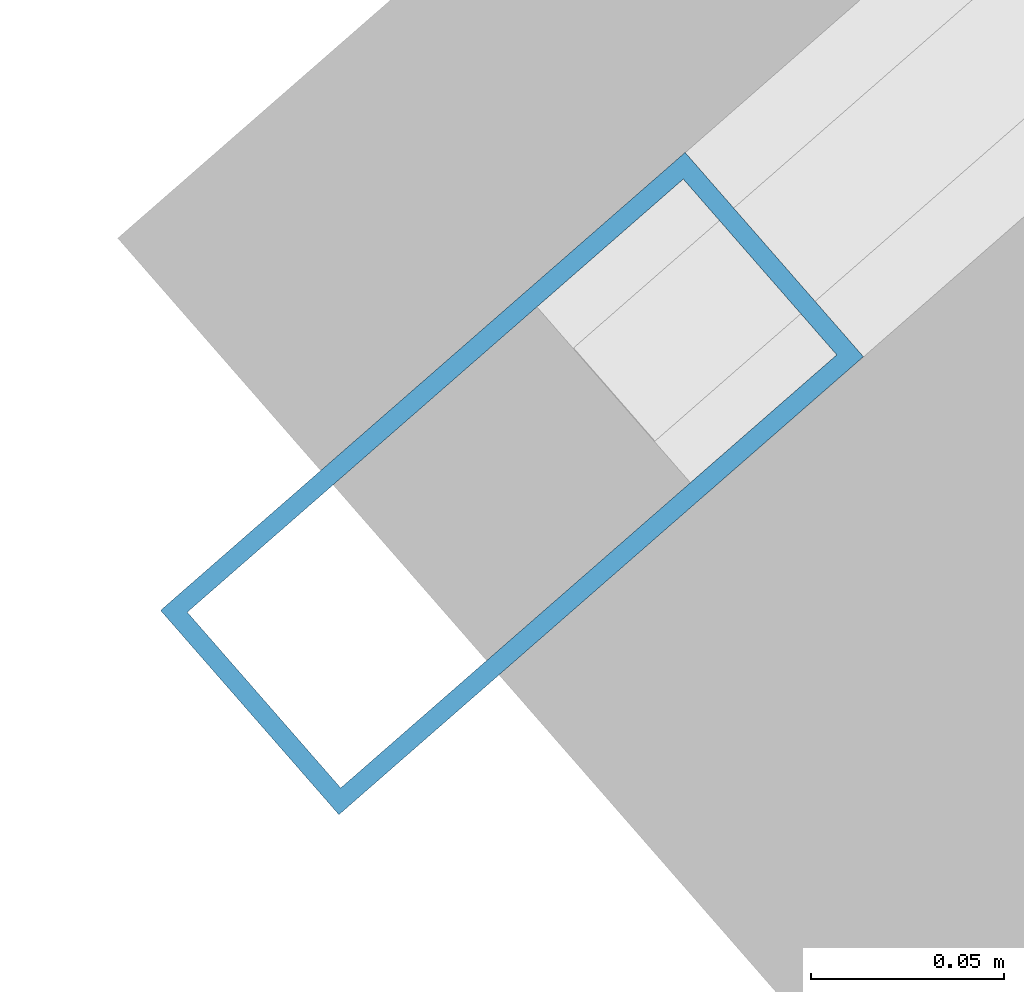
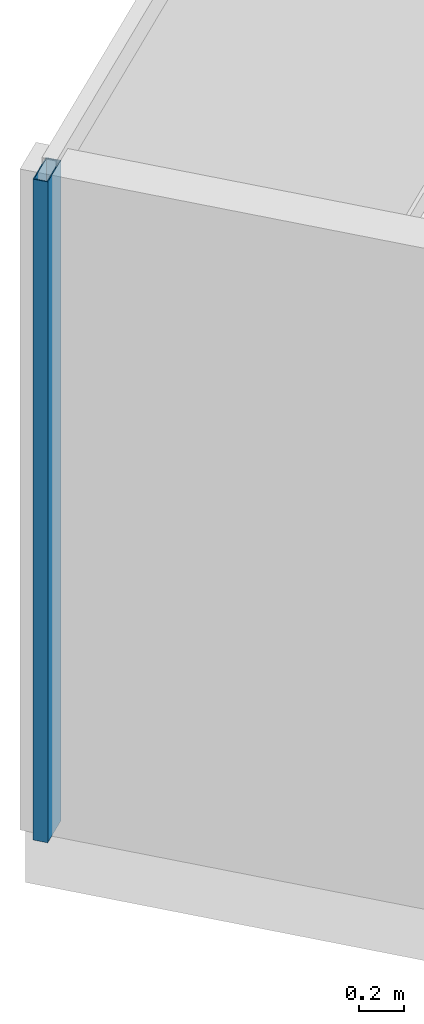
# One storey, part 7 of 24: 1 member, 1 element without a shape of its own.
"""IFC4 building model written with IfcOpenShell, lengths in metres."""

import ifcopenshell
import ifcopenshell.guid

model = None  # the IFC model being written
_history = None  # IfcOwnerHistory: only IFC2X3 demands one
_inside = {}  # id of a spatial element -> (the spatial element, [elements in it])
_under = {}  # id of a project, library or spatial element -> (it, [spatial elements below it])
_declared = {}  # id of a project -> (the project, [libraries it declares])
_typed = {}  # id of a type object -> (the type object, [elements of that type])
_made_of = {}  # id of a material, layer set ... -> (it, [elements and type objects made of it])


def new_model(schema):
    """Start an empty IFC model of exactly this schema.

    Asked for "IFC4X3", IfcOpenShell would pick the latest addendum, in which some entities
    have other attributes; the version numbers below select the first issue.
    IFC2X3 requires an IfcOwnerHistory on every rooted entity: one is made here for all.
    """
    global model, _history
    if schema == "IFC4X3":
        model = ifcopenshell.file(schema_version=(4, 3, 0, 0))
    else:
        model = ifcopenshell.file(schema=schema)
    _inside.clear()
    _under.clear()
    _declared.clear()
    _typed.clear()
    _made_of.clear()
    _history = None
    if model.schema == "IFC2X3":
        org = make("IfcOrganization", Name="unknown")
        user = make(
            "IfcPersonAndOrganization",
            ThePerson=make("IfcPerson", FamilyName="unknown"),
            TheOrganization=org,
        )
        app = make(
            "IfcApplication",
            ApplicationDeveloper=org,
            Version="unknown",
            ApplicationFullName="unknown",
            ApplicationIdentifier="unknown",
        )
        _history = make(
            "IfcOwnerHistory",
            OwningUser=user,
            OwningApplication=app,
            ChangeAction="ADDED",
            CreationDate=0,
        )
    return model


def make(cls, **values):
    """One entity of the class cls with the attributes given. An attribute that is None is left unset."""
    return model.create_entity(
        cls, **{name: value for name, value in values.items() if value is not None}
    )


def rooted(cls, **values):
    """An entity with a GlobalId (a new one), such as an element, a storey or a relation."""
    return make(cls, GlobalId=ifcopenshell.guid.new(), OwnerHistory=_history, **values)


def si_unit(unit_type, name, prefix=None):
    """IfcSIUnit, for example si_unit("LENGTHUNIT", "METRE", prefix="MILLI")."""
    return make("IfcSIUnit", UnitType=unit_type, Prefix=prefix, Name=name)


def assignment(units):
    """IfcUnitAssignment: the units of a project."""
    return None if units is None else make("IfcUnitAssignment", Units=units)


def point(xyz):
    """IfcCartesianPoint."""
    return None if xyz is None else make("IfcCartesianPoint", Coordinates=xyz)


def direction(xyz):
    """IfcDirection."""
    return None if xyz is None else make("IfcDirection", DirectionRatios=xyz)


def frame(location, z_axis=None, x_axis=None):
    """IfcAxis2Placement3D, a coordinate frame: its origin and axes. An axis left out is left unset."""
    return make(
        "IfcAxis2Placement3D",
        Location=point(location),
        Axis=direction(z_axis),
        RefDirection=direction(x_axis),
    )


def frame_2d(location, x_axis=None):
    """IfcAxis2Placement2D, a coordinate frame in the plane: its origin and x axis."""
    return make(
        "IfcAxis2Placement2D", Location=point(location), RefDirection=direction(x_axis)
    )


def origin():
    """The frame at (0, 0, 0) with its axes left unset."""
    return frame((0.0, 0.0, 0.0))


def origin_2d():
    """The frame at (0, 0) in the plane with its x axis left unset."""
    return frame_2d((0.0, 0.0))


def place(relative_to, where):
    """IfcLocalPlacement: puts the frame where relative to a parent placement (None: the world)."""
    return make(
        "IfcLocalPlacement", PlacementRelTo=relative_to, RelativePlacement=where
    )


def context(
    kind, dimensions, precision=None, world=None, true_north=None, identifier=None
):
    """IfcGeometricRepresentationContext, for example the 3D "Model" context."""
    return make(
        "IfcGeometricRepresentationContext",
        ContextIdentifier=identifier,
        ContextType=kind,
        CoordinateSpaceDimension=dimensions,
        Precision=precision,
        WorldCoordinateSystem=world,
        TrueNorth=true_north,
    )


def subcontext(parent, identifier, kind, view, scale=None):
    """IfcGeometricRepresentationSubContext, for example "Body" below "Model"."""
    return make(
        "IfcGeometricRepresentationSubContext",
        ContextIdentifier=identifier,
        ContextType=kind,
        ParentContext=parent,
        TargetScale=scale,
        TargetView=view,
    )


def project(units=None, contexts=None):
    """IfcProject with its units and contexts."""
    return rooted(
        "IfcProject",
        Name="project",
        RepresentationContexts=contexts,
        UnitsInContext=assignment(units),
    )


def spatial(cls, under=None, at=None, **own):
    """A site, building, storey or space (cls), placed at a placement, below another one or the project."""
    s = rooted(cls, ObjectPlacement=at, **own)
    if under is not None:
        _under.setdefault(under.id(), (under, []))[1].append(s)
    return s


def profile(cls, at=None, kind="AREA", **sizes):
    """A parametric profile (cls). Its sizes go by their IFC names, for example OverallWidth=200.0."""
    return make(cls, ProfileType=kind, Position=at, **sizes)


def hollow_rectangle(**sizes):
    """IfcRectangleHollowProfileDef."""
    return profile("IfcRectangleHollowProfileDef", **sizes)


def extrude(swept, where, along, depth):
    """IfcExtrudedAreaSolid: the profile swept, set in the frame where, extruded along a direction by depth."""
    return make(
        "IfcExtrudedAreaSolid",
        SweptArea=swept,
        Position=where,
        ExtrudedDirection=direction(along),
        Depth=depth,
    )


def shape(context_of_items, identifier, shape_type, items):
    """IfcShapeRepresentation: the items that make up one representation, for example the "Body"."""
    return make(
        "IfcShapeRepresentation",
        ContextOfItems=context_of_items,
        RepresentationIdentifier=identifier,
        RepresentationType=shape_type,
        Items=items,
    )


def source(mapping_origin, context_of_items, identifier, shape_type, items):
    """IfcRepresentationMap: a shape defined once, which mapped items show again and again."""
    return make(
        "IfcRepresentationMap",
        MappingOrigin=mapping_origin,
        MappedRepresentation=shape(context_of_items, identifier, shape_type, items),
    )


def transform(
    local_origin,
    x_axis=None,
    y_axis=None,
    z_axis=None,
    scale=None,
    scale2=None,
    scale3=None,
    uniform=True,
):
    """IfcCartesianTransformationOperator3D, or its non-uniform kind. x_axis, y_axis, z_axis: its Axis1, 2, 3."""
    if uniform:
        return make(
            "IfcCartesianTransformationOperator3D",
            Axis1=direction(x_axis),
            Axis2=direction(y_axis),
            LocalOrigin=point(local_origin),
            Scale=scale,
            Axis3=direction(z_axis),
        )
    return make(
        "IfcCartesianTransformationOperator3DnonUniform",
        Axis1=direction(x_axis),
        Axis2=direction(y_axis),
        LocalOrigin=point(local_origin),
        Scale=scale,
        Axis3=direction(z_axis),
        Scale2=scale2,
        Scale3=scale3,
    )


def mapped(mapping_source, mapping_target):
    """IfcMappedItem: shows the shape of a source again, moved by a transform."""
    return make(
        "IfcMappedItem", MappingSource=mapping_source, MappingTarget=mapping_target
    )


def material(Name=None, Category=None):
    """IfcMaterial."""
    return make("IfcMaterial", Name=Name, Category=Category)


def material_profile(
    of_material, cross_section, Name=None, Category=None, Priority=None
):
    """IfcMaterialProfile: a cross section and its material."""
    return make(
        "IfcMaterialProfile",
        Name=Name,
        Material=of_material,
        Profile=cross_section,
        Priority=Priority,
        Category=Category,
    )


def profile_set(profiles, Name=None, composite=None):
    """IfcMaterialProfileSet."""
    return make(
        "IfcMaterialProfileSet",
        Name=Name,
        MaterialProfiles=profiles,
        CompositeProfile=composite,
    )


def made_of(thing, what):
    """Note that an element or type object is made of a material, layer set ...; save() writes the relation."""
    if what is not None:
        _made_of.setdefault(what.id(), (what, []))[1].append(thing)
    return thing


def type_object(cls, material=None, **own):
    """A type object (cls), such as IfcWallType, which elements share."""
    return made_of(rooted(cls, **own), material)


def type_shapes(of_type, sources):
    """Give a type object the sources (RepresentationMaps) that its elements show as mapped items."""
    of_type.RepresentationMaps = sources


def element(
    cls,
    number,
    at=None,
    inside=None,
    cuts=None,
    type_object=None,
    material=None,
    context=None,
    identifier="Body",
    shape_type=None,
    held_by="IfcProductDefinitionShape",
    body=None,
    shapes=None,
    **own,
):
    """One element of the class cls, such as IfcWall. Its Tag is "e" and its number.

    at: its placement. inside: the storey or other place that contains it. cuts: it is an
    opening in that element (IfcRelVoidsElement). A single representation is given by context,
    identifier, shape_type and body (its items); several are given by shapes. held_by: the class
    of the entity that holds the representations. save() writes the other relations.
    """
    e = rooted(cls, Tag="e%d" % number, ObjectPlacement=at, **own)
    if body is not None:
        shapes = [shape(context, identifier, shape_type, body)]
    if shapes is not None:
        e.Representation = make(held_by, Representations=shapes)
    if inside is not None:
        _inside.setdefault(inside.id(), (inside, []))[1].append(e)
    if cuts is not None:
        rooted(
            "IfcRelVoidsElement", RelatingBuildingElement=cuts, RelatedOpeningElement=e
        )
    if type_object is not None:
        _typed.setdefault(type_object.id(), (type_object, []))[1].append(e)
    return made_of(e, material)


def aggregate(whole, parts):
    """IfcRelAggregates: a whole, such as a stair, and the parts it consists of."""
    return rooted("IfcRelAggregates", RelatingObject=whole, RelatedObjects=parts)


def save(model, path):
    """Write the relations noted so far, then the file.

    IfcRelAggregates (storeys below a building ...), IfcRelContainedInSpatialStructure (elements
    in a storey), IfcRelDefinesByType, IfcRelAssociatesMaterial and IfcRelDeclares: one each for
    every whole, place, type object, material and project.
    """
    for whole, parts in _under.values():
        aggregate(whole, parts)
    for where, things in _inside.values():
        rooted(
            "IfcRelContainedInSpatialStructure",
            RelatedElements=things,
            RelatingStructure=where,
        )
    for kind, things in _typed.values():
        rooted("IfcRelDefinesByType", RelatedObjects=things, RelatingType=kind)
    for what, things in _made_of.values():
        rooted("IfcRelAssociatesMaterial", RelatedObjects=things, RelatingMaterial=what)
    for by, libraries in _declared.values():
        rooted("IfcRelDeclares", RelatingContext=by, RelatedDefinitions=libraries)
    model.write(path)


model = new_model("IFC4")

# Units and contexts
model_context = context("Model", 3, precision=1e-05, world=origin(), true_north=direction((0.0, 1.0)))
body_context = subcontext(model_context, "Body", "Model", "MODEL_VIEW")
ifc_project = project(units=[si_unit("LENGTHUNIT", "METRE"), si_unit("AREAUNIT", "SQUARE_METRE"), si_unit("VOLUMEUNIT", "CUBIC_METRE"), si_unit("PLANEANGLEUNIT", "RADIAN"), si_unit("MASSUNIT", "GRAM", prefix="KILO")], contexts=[model_context])

# Site, building, storey
site_placement = place(None, origin())
site = spatial("IfcSite", under=ifc_project, at=site_placement, CompositionType="ELEMENT")
building_placement = place(site_placement, origin())
building = spatial("IfcBuilding", under=site, at=building_placement, Name="Krantzveldt Concourse Tower", CompositionType="ELEMENT")
storey_placement = place(building_placement, frame((0.0, 0.0, 258.64990234375)))
storey = spatial("IfcBuildingStorey", under=building, at=storey_placement, Name="L63", CompositionType="ELEMENT", Elevation=258.64990234375)

# Curtain wall, member
ifc_material = material(Name="Anodised aluminium 6063-T6", Category="aluminium")
curtain_wall_type = type_object("IfcCurtainWallType", Name="CW3", PredefinedType="USERDEFINED", material=ifc_material)
curtain_wall_placement = place(storey_placement, origin())
curtain_wall = element("IfcCurtainWall", 1, at=curtain_wall_placement, inside=storey, type_object=curtain_wall_type, Name="CW-L63-F01", ObjectType="UNITISED CURTAIN WALL", PredefinedType="USERDEFINED")
ifc_material_profile = material_profile(ifc_material, hollow_rectangle(XDim=0.070068359375, YDim=0.179931640625, WallThickness=0.0048828125, at=origin_2d()), Name="Anodised aluminium 6063-T6", Category="aluminium")
ifc_profile_set = profile_set([ifc_material_profile], Name="Anodised aluminium 6063-T6 - ALU-MULL 180x70x5")
member_type = type_object("IfcMemberType", Name="CW-MUL-180", PredefinedType="MULLION", material=ifc_profile_set)
shared_shape = source(origin(), body_context, "Body", "SweptSolid", [
    extrude(hollow_rectangle(XDim=0.070068359375, YDim=0.179931640625, WallThickness=0.0048828125, at=origin_2d()), origin(), (0.0, 0.0, 1.0), 3.60009765625),
])
type_shapes(member_type, [shared_shape])
member_placement = place(storey_placement, frame((10.9267578125, 31.903076171875, 0.0), z_axis=(0.0, 0.0, 1.0), x_axis=(0.657703938567, -0.753276529034, 0.0)))
member = element("IfcMember", 2, at=member_placement, type_object=member_type, Name="CW-Z34 mullion 6", PredefinedType="MULLION", context=body_context, shape_type="MappedRepresentation", body=[
    mapped(shared_shape, transform((0.0, 0.0, 0.0), x_axis=(1.0, 0.0, 0.0), y_axis=(0.0, 1.0, 0.0), z_axis=(0.0, 0.0, 1.0), scale=1.0)),
])
aggregate(curtain_wall, [member])

save(model, "model.ifc")
